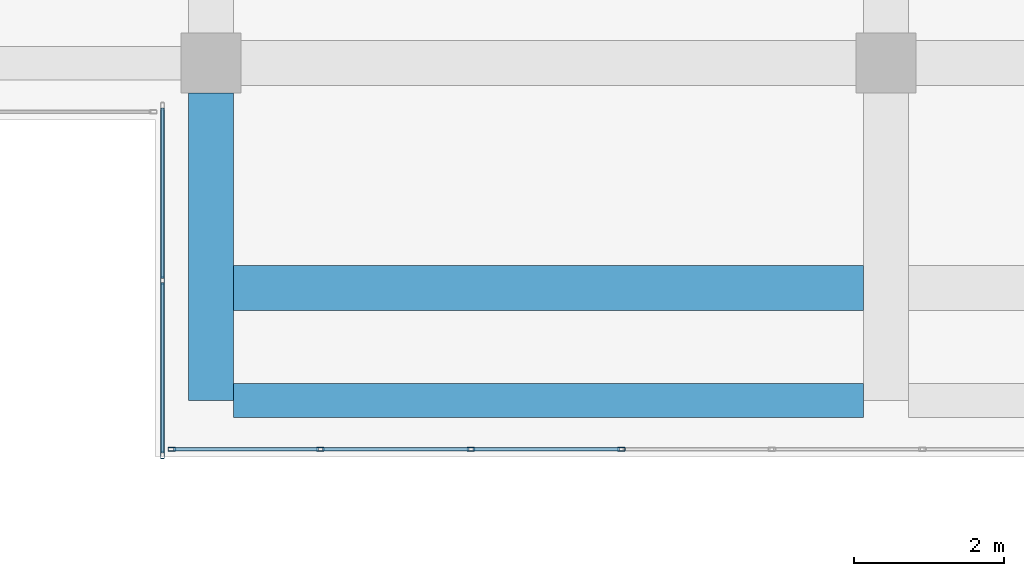
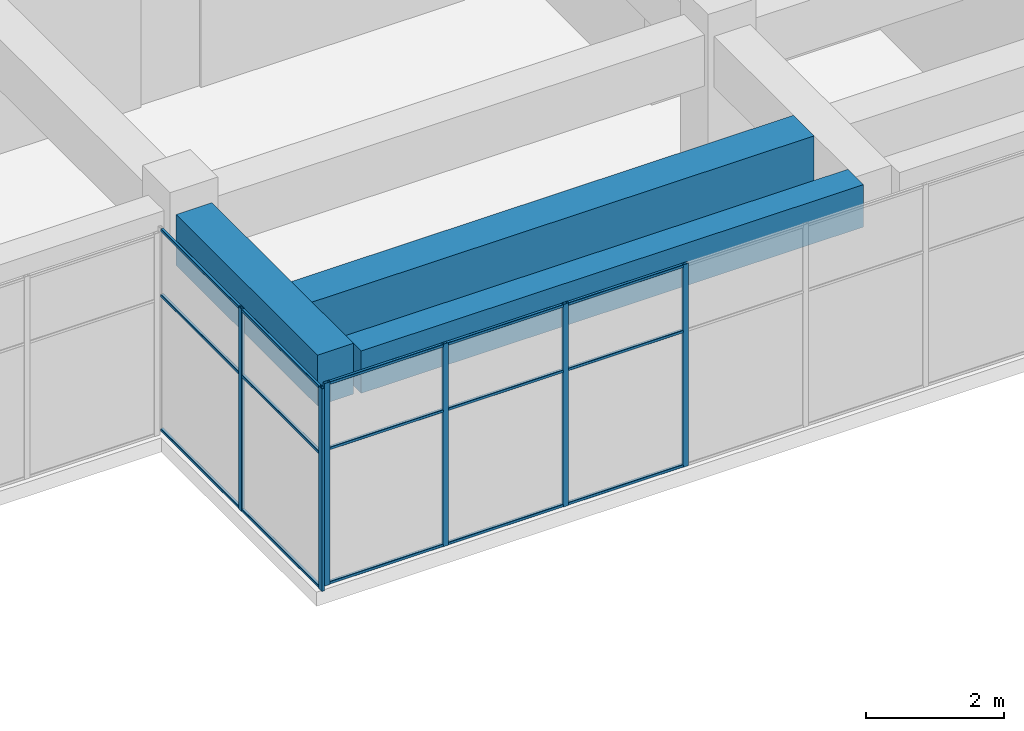
# One storey, part 22 of 72: 21 members, 3 beams, 2 elements without a shape of their own.
"""IFC4 building model written with IfcOpenShell, lengths in metres."""

from ifc_helpers import new_model, si_unit, direction, frame, origin, origin_2d, place, context, subcontext, project, spatial, rectangle, hollow_rectangle, extrude, material, layer, layer_set, material_profile, profile_set, type_object, element, aggregate, save


model = new_model("IFC4")

# Units and contexts
model_context = context("Model", 3, precision=1e-05, world=origin(), true_north=direction((0.0, 1.0)))
body_context = subcontext(model_context, "Body", "Model", "MODEL_VIEW")
ifc_project = project(units=[si_unit("LENGTHUNIT", "METRE"), si_unit("AREAUNIT", "SQUARE_METRE"), si_unit("VOLUMEUNIT", "CUBIC_METRE"), si_unit("PLANEANGLEUNIT", "RADIAN"), si_unit("MASSUNIT", "GRAM", prefix="KILO")], contexts=[model_context])

# Site, building, storey
site_placement = place(None, origin())
site = spatial("IfcSite", under=ifc_project, at=site_placement, CompositionType="ELEMENT")
building_placement = place(site_placement, origin())
building = spatial("IfcBuilding", under=site, at=building_placement, Name="Tuart Plaza Theatre", CompositionType="ELEMENT")
storey_placement = place(building_placement, frame((0.0, 0.0, 13.5)))
storey = spatial("IfcBuildingStorey", under=building, at=storey_placement, Name="L03", CompositionType="ELEMENT", Elevation=13.5)

# Beams
ifc_material_1 = material(Name="Concrete N40 (40 MPa)", Category="concrete")
ifc_material_profile_1 = material_profile(ifc_material_1, rectangle(XDim=0.449951171875, YDim=0.75, at=origin_2d()), Name="BEAM 450x750 Concrete N40 (40 MPa)")
ifc_profile_set_1 = profile_set([ifc_material_profile_1], Name="Concrete N40 (40 MPa)")
beam_type_1 = type_object("IfcBeamType", Name="BEAM 450x750 Concrete N40 (40 MPa)", PredefinedType="BEAM", material=ifc_profile_set_1)
beam_1_placement = place(storey_placement, frame((123.300048828125, 51.5, 3.205078125), z_axis=(1.0, 0.0, 0.0), x_axis=(0.0, 1.0, 0.0)))
element("IfcBeam", 1, at=beam_1_placement, inside=storey, type_object=beam_type_1, Name="RB174", PredefinedType="BEAM", context=body_context, shape_type="SweptSolid", body=[
    extrude(rectangle(XDim=0.449951171875, YDim=0.75, at=origin_2d()), origin(), (0.0, 0.0, 1.0), 8.39990234375),
])
ifc_material_2 = material(Name="Concrete N40 (40 MPa)", Category="concrete")
ifc_material_profile_2 = material_profile(ifc_material_2, rectangle(XDim=0.60009765625, YDim=0.89990234375, at=origin_2d()), Name="BEAM 600x900 Concrete N40 (40 MPa)")
ifc_profile_set_2 = profile_set([ifc_material_profile_2], Name="Concrete N40 (40 MPa)")
beam_type_2 = type_object("IfcBeamType", Name="BEAM 600x900 Concrete N40 (40 MPa)", PredefinedType="BEAM", material=ifc_profile_set_2)
beam_2_placement = place(storey_placement, frame((123.0, 51.5, 3.1298828125), z_axis=(0.0, 1.0, 0.0), x_axis=(-1.0, 0.0, 0.0)))
element("IfcBeam", 2, at=beam_2_placement, inside=storey, type_object=beam_type_2, Name="RB173", PredefinedType="BEAM", context=body_context, shape_type="SweptSolid", body=[
    extrude(rectangle(XDim=0.60009765625, YDim=0.89990234375, at=origin_2d()), origin(), (0.0, 0.0, 1.0), 4.10009765625),
])
beam_3_placement = place(storey_placement, frame((123.300048828125, 53.0, 3.1298828125), z_axis=(1.0, 0.0, 0.0), x_axis=(0.0, 1.0, 0.0)))
element("IfcBeam", 3, at=beam_3_placement, inside=storey, type_object=beam_type_2, Name="RB202", PredefinedType="BEAM", context=body_context, shape_type="SweptSolid", body=[
    extrude(rectangle(XDim=0.60009765625, YDim=0.89990234375, at=origin_2d()), origin(), (0.0, 0.0, 1.0), 8.39990234375),
])

# Curtain wall, members
ifc_material_3 = material(Name="Aluminium and glass", Category="aluminium")
ifc_layer = layer(ifc_material_3, 0.10009765625)
ifc_layer_set = layer_set([ifc_layer], Name="CURTAIN WALL 2000 module")
curtain_wall_type = type_object("IfcCurtainWallType", Name="CURTAIN WALL 2000 module", PredefinedType="NOTDEFINED", material=ifc_layer_set)
curtain_wall_1_placement = place(storey_placement, origin())
curtain_wall_1 = element("IfcCurtainWall", 4, at=curtain_wall_1_placement, inside=storey, type_object=curtain_wall_type, Name="CW67", PredefinedType="NOTDEFINED")
ifc_material_4 = material(Name="Aluminium 6063-T5", Category="aluminium")
ifc_material_profile_3 = material_profile(ifc_material_4, hollow_rectangle(XDim=0.050048828125, YDim=0.10009765625, WallThickness=0.00390625, InnerFilletRadius=0.00390625, OuterFilletRadius=0.008056640625, at=origin_2d()), Name="RHS 100x50x4")
ifc_profile_set_3 = profile_set([ifc_material_profile_3], Name="Aluminium 6063-T5")
member_type_1 = type_object("IfcMemberType", Name="MULLION RHS 100x50x4", PredefinedType="MULLION", material=ifc_profile_set_3)
member_1_placement = place(storey_placement, frame((122.35009765625, 53.10009765625, 0.0), z_axis=(0.0, 0.0, 1.0), x_axis=(1.0, 0.0, 0.0)))
member_1 = element("IfcMember", 5, at=member_1_placement, type_object=member_type_1, Name="CW67 mullion 2", PredefinedType="MULLION", context=body_context, shape_type="SweptSolid", body=[
    extrude(hollow_rectangle(XDim=0.050048828125, YDim=0.10009765625, WallThickness=0.00390625, InnerFilletRadius=0.00390625, OuterFilletRadius=0.008056640625, at=origin_2d()), origin(), (0.0, 0.0, 1.0), 3.580078125),
])
member_2_placement = place(storey_placement, frame((122.35009765625, 50.77490234375, 0.0), z_axis=(0.0, 0.0, 1.0), x_axis=(1.0, 0.0, 0.0)))
member_2 = element("IfcMember", 6, at=member_2_placement, type_object=member_type_1, Name="CW67 mullion 3", PredefinedType="MULLION", context=body_context, shape_type="SweptSolid", body=[
    extrude(hollow_rectangle(XDim=0.050048828125, YDim=0.10009765625, WallThickness=0.00390625, InnerFilletRadius=0.00390625, OuterFilletRadius=0.008056640625, at=origin_2d()), origin(), (0.0, 0.0, 1.0), 3.580078125),
])

curtain_wall_2_placement = place(storey_placement, origin())
curtain_wall_2 = element("IfcCurtainWall", 7, at=curtain_wall_2_placement, inside=storey, type_object=curtain_wall_type, Name="CW68", PredefinedType="NOTDEFINED")
member_3_placement = place(storey_placement, frame((122.47509765625, 50.85009765625, 0.0), z_axis=(0.0, 0.0, 1.0), x_axis=(0.0, 1.0, 0.0)))
member_3 = element("IfcMember", 8, at=member_3_placement, type_object=member_type_1, Name="CW68 mullion 1", PredefinedType="MULLION", context=body_context, shape_type="SweptSolid", body=[
    extrude(hollow_rectangle(XDim=0.050048828125, YDim=0.10009765625, WallThickness=0.00390625, InnerFilletRadius=0.00390625, OuterFilletRadius=0.008056640625, at=origin_2d()), origin(), (0.0, 0.0, 1.0), 3.580078125),
])
member_4_placement = place(storey_placement, frame((124.45703125, 50.85009765625, 0.0), z_axis=(0.0, 0.0, 1.0), x_axis=(0.0, 1.0, 0.0)))
member_4 = element("IfcMember", 9, at=member_4_placement, type_object=member_type_1, Name="CW68 mullion 2", PredefinedType="MULLION", context=body_context, shape_type="SweptSolid", body=[
    extrude(hollow_rectangle(XDim=0.050048828125, YDim=0.10009765625, WallThickness=0.00390625, InnerFilletRadius=0.00390625, OuterFilletRadius=0.008056640625, at=origin_2d()), origin(), (0.0, 0.0, 1.0), 3.580078125),
])
member_5_placement = place(storey_placement, frame((126.46435546875, 50.85009765625, 0.0), z_axis=(0.0, 0.0, 1.0), x_axis=(0.0, 1.0, 0.0)))
member_5 = element("IfcMember", 10, at=member_5_placement, type_object=member_type_1, Name="CW68 mullion 3", PredefinedType="MULLION", context=body_context, shape_type="SweptSolid", body=[
    extrude(hollow_rectangle(XDim=0.050048828125, YDim=0.10009765625, WallThickness=0.00390625, InnerFilletRadius=0.00390625, OuterFilletRadius=0.008056640625, at=origin_2d()), origin(), (0.0, 0.0, 1.0), 3.580078125),
])
member_6_placement = place(storey_placement, frame((128.471435546875, 50.85009765625, 0.0), z_axis=(0.0, 0.0, 1.0), x_axis=(0.0, 1.0, 0.0)))
member_6 = element("IfcMember", 11, at=member_6_placement, type_object=member_type_1, Name="CW68 mullion 4", PredefinedType="MULLION", context=body_context, shape_type="SweptSolid", body=[
    extrude(hollow_rectangle(XDim=0.050048828125, YDim=0.10009765625, WallThickness=0.00390625, InnerFilletRadius=0.00390625, OuterFilletRadius=0.008056640625, at=origin_2d()), origin(), (0.0, 0.0, 1.0), 3.580078125),
])

# Member
ifc_material_5 = material(Name="Aluminium 6063-T5", Category="aluminium")
ifc_material_profile_4 = material_profile(ifc_material_5, hollow_rectangle(XDim=0.050048828125, YDim=0.050048828125, WallThickness=0.00390625, InnerFilletRadius=0.00390625, OuterFilletRadius=0.008056640625, at=origin_2d()), Name="RHS 50x50x4")
ifc_profile_set_4 = profile_set([ifc_material_profile_4], Name="Aluminium 6063-T5")
member_type_2 = type_object("IfcMemberType", Name="TRANSOM RHS 50x50x4", PredefinedType="USERDEFINED", material=ifc_profile_set_4)
member_7_placement = place(storey_placement, frame((122.35009765625, 55.39990234375, 0.02490234375), z_axis=(0.0, -1.0, 0.0), x_axis=(1.0, 0.0, 0.0)))
member_7 = element("IfcMember", 12, at=member_7_placement, type_object=member_type_2, Name="CW67 transom 1.1", ObjectType="TRANSOM", PredefinedType="USERDEFINED", context=body_context, shape_type="SweptSolid", body=[
    extrude(hollow_rectangle(XDim=0.050048828125, YDim=0.050048828125, WallThickness=0.00390625, InnerFilletRadius=0.00390625, OuterFilletRadius=0.008056640625, at=origin_2d()), origin(), (0.0, 0.0, 1.0), 2.27490234375),
])

member_8_placement = place(storey_placement, frame((122.35009765625, 55.39990234375, 2.39990234375), z_axis=(0.0, -1.0, 0.0), x_axis=(1.0, 0.0, 0.0)))
member_8 = element("IfcMember", 13, at=member_8_placement, type_object=member_type_2, Name="CW67 transom 1.2", ObjectType="TRANSOM", PredefinedType="USERDEFINED", context=body_context, shape_type="SweptSolid", body=[
    extrude(hollow_rectangle(XDim=0.050048828125, YDim=0.050048828125, WallThickness=0.00390625, InnerFilletRadius=0.00390625, OuterFilletRadius=0.008056640625, at=origin_2d()), origin(), (0.0, 0.0, 1.0), 2.27490234375),
])

member_9_placement = place(storey_placement, frame((122.35009765625, 55.39990234375, 3.554931640625), z_axis=(0.0, -1.0, 0.0), x_axis=(1.0, 0.0, 0.0)))
member_9 = element("IfcMember", 14, at=member_9_placement, type_object=member_type_2, Name="CW67 transom 1.3", ObjectType="TRANSOM", PredefinedType="USERDEFINED", context=body_context, shape_type="SweptSolid", body=[
    extrude(hollow_rectangle(XDim=0.050048828125, YDim=0.050048828125, WallThickness=0.00390625, InnerFilletRadius=0.00390625, OuterFilletRadius=0.008056640625, at=origin_2d()), origin(), (0.0, 0.0, 1.0), 2.27490234375),
])

member_10_placement = place(storey_placement, frame((122.35009765625, 53.074951171875, 0.02490234375), z_axis=(0.0, -1.0, 0.0), x_axis=(1.0, 0.0, 0.0)))
member_10 = element("IfcMember", 15, at=member_10_placement, type_object=member_type_2, Name="CW67 transom 2.1", ObjectType="TRANSOM", PredefinedType="USERDEFINED", context=body_context, shape_type="SweptSolid", body=[
    extrude(hollow_rectangle(XDim=0.050048828125, YDim=0.050048828125, WallThickness=0.00390625, InnerFilletRadius=0.00390625, OuterFilletRadius=0.008056640625, at=origin_2d()), origin(), (0.0, 0.0, 1.0), 2.27490234375),
])

member_11_placement = place(storey_placement, frame((122.35009765625, 53.074951171875, 2.39990234375), z_axis=(0.0, -1.0, 0.0), x_axis=(1.0, 0.0, 0.0)))
member_11 = element("IfcMember", 16, at=member_11_placement, type_object=member_type_2, Name="CW67 transom 2.2", ObjectType="TRANSOM", PredefinedType="USERDEFINED", context=body_context, shape_type="SweptSolid", body=[
    extrude(hollow_rectangle(XDim=0.050048828125, YDim=0.050048828125, WallThickness=0.00390625, InnerFilletRadius=0.00390625, OuterFilletRadius=0.008056640625, at=origin_2d()), origin(), (0.0, 0.0, 1.0), 2.27490234375),
])

member_12_placement = place(storey_placement, frame((122.35009765625, 53.074951171875, 3.554931640625), z_axis=(0.0, -1.0, 0.0), x_axis=(1.0, 0.0, 0.0)))
member_12 = element("IfcMember", 17, at=member_12_placement, type_object=member_type_2, Name="CW67 transom 2.3", ObjectType="TRANSOM", PredefinedType="USERDEFINED", context=body_context, shape_type="SweptSolid", body=[
    extrude(hollow_rectangle(XDim=0.050048828125, YDim=0.050048828125, WallThickness=0.00390625, InnerFilletRadius=0.00390625, OuterFilletRadius=0.008056640625, at=origin_2d()), origin(), (0.0, 0.0, 1.0), 2.27490234375),
])

aggregate(curtain_wall_1, [member_1, member_2, member_7, member_8, member_9, member_10, member_11, member_12])

member_13_placement = place(storey_placement, frame((122.5, 50.85009765625, 0.02490234375), z_axis=(1.0, 0.0, 0.0), x_axis=(0.0, 1.0, 0.0)))
member_13 = element("IfcMember", 18, at=member_13_placement, type_object=member_type_2, Name="CW68 transom 1.1", ObjectType="TRANSOM", PredefinedType="USERDEFINED", context=body_context, shape_type="SweptSolid", body=[
    extrude(hollow_rectangle(XDim=0.050048828125, YDim=0.050048828125, WallThickness=0.00390625, InnerFilletRadius=0.00390625, OuterFilletRadius=0.008056640625, at=origin_2d()), origin(), (0.0, 0.0, 1.0), 1.93212890625),
])

member_14_placement = place(storey_placement, frame((122.5, 50.85009765625, 2.39990234375), z_axis=(1.0, 0.0, 0.0), x_axis=(0.0, 1.0, 0.0)))
member_14 = element("IfcMember", 19, at=member_14_placement, type_object=member_type_2, Name="CW68 transom 1.2", ObjectType="TRANSOM", PredefinedType="USERDEFINED", context=body_context, shape_type="SweptSolid", body=[
    extrude(hollow_rectangle(XDim=0.050048828125, YDim=0.050048828125, WallThickness=0.00390625, InnerFilletRadius=0.00390625, OuterFilletRadius=0.008056640625, at=origin_2d()), origin(), (0.0, 0.0, 1.0), 1.93212890625),
])

member_15_placement = place(storey_placement, frame((122.5, 50.85009765625, 3.554931640625), z_axis=(1.0, 0.0, 0.0), x_axis=(0.0, 1.0, 0.0)))
member_15 = element("IfcMember", 20, at=member_15_placement, type_object=member_type_2, Name="CW68 transom 1.3", ObjectType="TRANSOM", PredefinedType="USERDEFINED", context=body_context, shape_type="SweptSolid", body=[
    extrude(hollow_rectangle(XDim=0.050048828125, YDim=0.050048828125, WallThickness=0.00390625, InnerFilletRadius=0.00390625, OuterFilletRadius=0.008056640625, at=origin_2d()), origin(), (0.0, 0.0, 1.0), 1.93212890625),
])

member_16_placement = place(storey_placement, frame((124.482177734375, 50.85009765625, 0.02490234375), z_axis=(1.0, 0.0, 0.0), x_axis=(0.0, 1.0, 0.0)))
member_16 = element("IfcMember", 21, at=member_16_placement, type_object=member_type_2, Name="CW68 transom 2.1", ObjectType="TRANSOM", PredefinedType="USERDEFINED", context=body_context, shape_type="SweptSolid", body=[
    extrude(hollow_rectangle(XDim=0.050048828125, YDim=0.050048828125, WallThickness=0.00390625, InnerFilletRadius=0.00390625, OuterFilletRadius=0.008056640625, at=origin_2d()), origin(), (0.0, 0.0, 1.0), 1.95703125),
])

member_17_placement = place(storey_placement, frame((124.482177734375, 50.85009765625, 2.39990234375), z_axis=(1.0, 0.0, 0.0), x_axis=(0.0, 1.0, 0.0)))
member_17 = element("IfcMember", 22, at=member_17_placement, type_object=member_type_2, Name="CW68 transom 2.2", ObjectType="TRANSOM", PredefinedType="USERDEFINED", context=body_context, shape_type="SweptSolid", body=[
    extrude(hollow_rectangle(XDim=0.050048828125, YDim=0.050048828125, WallThickness=0.00390625, InnerFilletRadius=0.00390625, OuterFilletRadius=0.008056640625, at=origin_2d()), origin(), (0.0, 0.0, 1.0), 1.95703125),
])

member_18_placement = place(storey_placement, frame((124.482177734375, 50.85009765625, 3.554931640625), z_axis=(1.0, 0.0, 0.0), x_axis=(0.0, 1.0, 0.0)))
member_18 = element("IfcMember", 23, at=member_18_placement, type_object=member_type_2, Name="CW68 transom 2.3", ObjectType="TRANSOM", PredefinedType="USERDEFINED", context=body_context, shape_type="SweptSolid", body=[
    extrude(hollow_rectangle(XDim=0.050048828125, YDim=0.050048828125, WallThickness=0.00390625, InnerFilletRadius=0.00390625, OuterFilletRadius=0.008056640625, at=origin_2d()), origin(), (0.0, 0.0, 1.0), 1.95703125),
])

member_19_placement = place(storey_placement, frame((126.4892578125, 50.85009765625, 0.02490234375), z_axis=(1.0, 0.0, 0.0), x_axis=(0.0, 1.0, 0.0)))
member_19 = element("IfcMember", 24, at=member_19_placement, type_object=member_type_2, Name="CW68 transom 3.1", ObjectType="TRANSOM", PredefinedType="USERDEFINED", context=body_context, shape_type="SweptSolid", body=[
    extrude(hollow_rectangle(XDim=0.050048828125, YDim=0.050048828125, WallThickness=0.00390625, InnerFilletRadius=0.00390625, OuterFilletRadius=0.008056640625, at=origin_2d()), origin(), (0.0, 0.0, 1.0), 1.957275390625),
])

member_20_placement = place(storey_placement, frame((126.4892578125, 50.85009765625, 2.39990234375), z_axis=(1.0, 0.0, 0.0), x_axis=(0.0, 1.0, 0.0)))
member_20 = element("IfcMember", 25, at=member_20_placement, type_object=member_type_2, Name="CW68 transom 3.2", ObjectType="TRANSOM", PredefinedType="USERDEFINED", context=body_context, shape_type="SweptSolid", body=[
    extrude(hollow_rectangle(XDim=0.050048828125, YDim=0.050048828125, WallThickness=0.00390625, InnerFilletRadius=0.00390625, OuterFilletRadius=0.008056640625, at=origin_2d()), origin(), (0.0, 0.0, 1.0), 1.957275390625),
])

member_21_placement = place(storey_placement, frame((126.4892578125, 50.85009765625, 3.554931640625), z_axis=(1.0, 0.0, 0.0), x_axis=(0.0, 1.0, 0.0)))
member_21 = element("IfcMember", 26, at=member_21_placement, type_object=member_type_2, Name="CW68 transom 3.3", ObjectType="TRANSOM", PredefinedType="USERDEFINED", context=body_context, shape_type="SweptSolid", body=[
    extrude(hollow_rectangle(XDim=0.050048828125, YDim=0.050048828125, WallThickness=0.00390625, InnerFilletRadius=0.00390625, OuterFilletRadius=0.008056640625, at=origin_2d()), origin(), (0.0, 0.0, 1.0), 1.957275390625),
])

aggregate(curtain_wall_2, [member_3, member_4, member_5, member_6, member_13, member_14, member_15, member_16, member_17, member_18, member_19, member_20, member_21])

save(model, "model.ifc")
